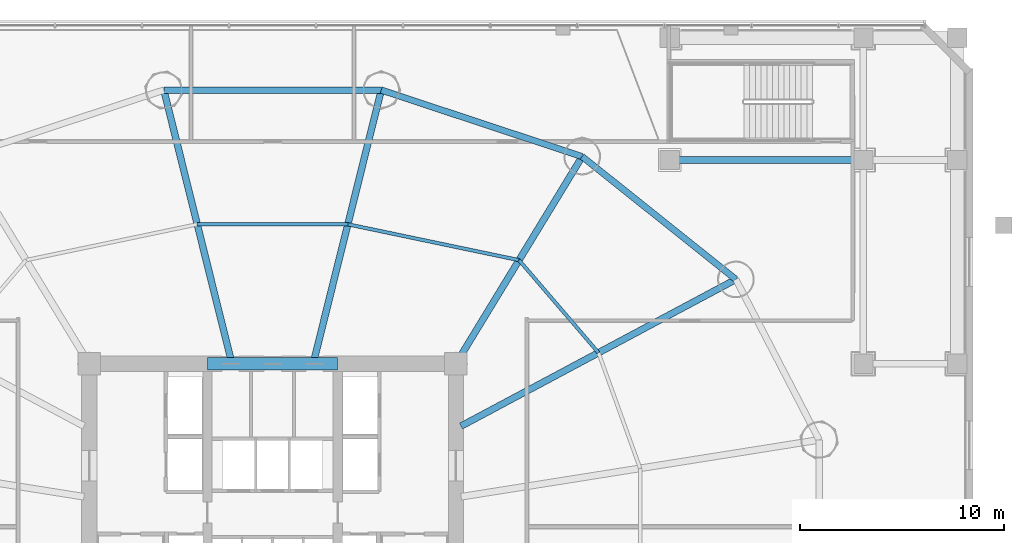
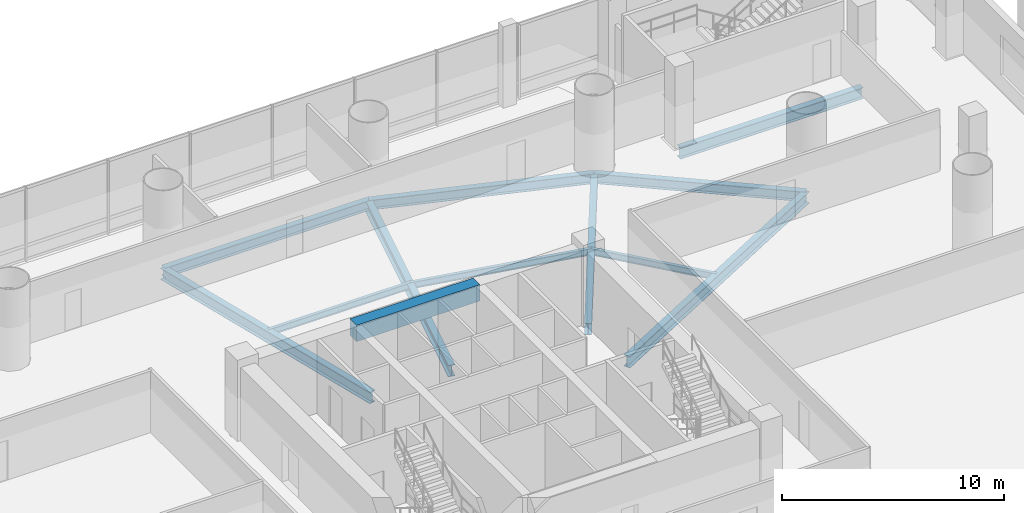
# One storey, part 13 of 36: 12 beams.
"""IFC4 building model written with IfcOpenShell, lengths in metres."""

import ifcopenshell
import ifcopenshell.guid

model = None  # the IFC model being written
_history = None  # IfcOwnerHistory: only IFC2X3 demands one
_inside = {}  # id of a spatial element -> (the spatial element, [elements in it])
_under = {}  # id of a project, library or spatial element -> (it, [spatial elements below it])
_declared = {}  # id of a project -> (the project, [libraries it declares])
_typed = {}  # id of a type object -> (the type object, [elements of that type])
_made_of = {}  # id of a material, layer set ... -> (it, [elements and type objects made of it])


def new_model(schema):
    """Start an empty IFC model of exactly this schema.

    Asked for "IFC4X3", IfcOpenShell would pick the latest addendum, in which some entities
    have other attributes; the version numbers below select the first issue.
    IFC2X3 requires an IfcOwnerHistory on every rooted entity: one is made here for all.
    """
    global model, _history
    if schema == "IFC4X3":
        model = ifcopenshell.file(schema_version=(4, 3, 0, 0))
    else:
        model = ifcopenshell.file(schema=schema)
    _inside.clear()
    _under.clear()
    _declared.clear()
    _typed.clear()
    _made_of.clear()
    _history = None
    if model.schema == "IFC2X3":
        org = make("IfcOrganization", Name="unknown")
        user = make(
            "IfcPersonAndOrganization",
            ThePerson=make("IfcPerson", FamilyName="unknown"),
            TheOrganization=org,
        )
        app = make(
            "IfcApplication",
            ApplicationDeveloper=org,
            Version="unknown",
            ApplicationFullName="unknown",
            ApplicationIdentifier="unknown",
        )
        _history = make(
            "IfcOwnerHistory",
            OwningUser=user,
            OwningApplication=app,
            ChangeAction="ADDED",
            CreationDate=0,
        )
    return model


def make(cls, **values):
    """One entity of the class cls with the attributes given. An attribute that is None is left unset."""
    return model.create_entity(
        cls, **{name: value for name, value in values.items() if value is not None}
    )


def rooted(cls, **values):
    """An entity with a GlobalId (a new one), such as an element, a storey or a relation."""
    return make(cls, GlobalId=ifcopenshell.guid.new(), OwnerHistory=_history, **values)


def si_unit(unit_type, name, prefix=None):
    """IfcSIUnit, for example si_unit("LENGTHUNIT", "METRE", prefix="MILLI")."""
    return make("IfcSIUnit", UnitType=unit_type, Prefix=prefix, Name=name)


def assignment(units):
    """IfcUnitAssignment: the units of a project."""
    return None if units is None else make("IfcUnitAssignment", Units=units)


def point(xyz):
    """IfcCartesianPoint."""
    return None if xyz is None else make("IfcCartesianPoint", Coordinates=xyz)


def direction(xyz):
    """IfcDirection."""
    return None if xyz is None else make("IfcDirection", DirectionRatios=xyz)


def frame(location, z_axis=None, x_axis=None):
    """IfcAxis2Placement3D, a coordinate frame: its origin and axes. An axis left out is left unset."""
    return make(
        "IfcAxis2Placement3D",
        Location=point(location),
        Axis=direction(z_axis),
        RefDirection=direction(x_axis),
    )


def frame_2d(location, x_axis=None):
    """IfcAxis2Placement2D, a coordinate frame in the plane: its origin and x axis."""
    return make(
        "IfcAxis2Placement2D", Location=point(location), RefDirection=direction(x_axis)
    )


def origin():
    """The frame at (0, 0, 0) with its axes left unset."""
    return frame((0.0, 0.0, 0.0))


def origin_2d():
    """The frame at (0, 0) in the plane with its x axis left unset."""
    return frame_2d((0.0, 0.0))


def place(relative_to, where):
    """IfcLocalPlacement: puts the frame where relative to a parent placement (None: the world)."""
    return make(
        "IfcLocalPlacement", PlacementRelTo=relative_to, RelativePlacement=where
    )


def context(
    kind, dimensions, precision=None, world=None, true_north=None, identifier=None
):
    """IfcGeometricRepresentationContext, for example the 3D "Model" context."""
    return make(
        "IfcGeometricRepresentationContext",
        ContextIdentifier=identifier,
        ContextType=kind,
        CoordinateSpaceDimension=dimensions,
        Precision=precision,
        WorldCoordinateSystem=world,
        TrueNorth=true_north,
    )


def subcontext(parent, identifier, kind, view, scale=None):
    """IfcGeometricRepresentationSubContext, for example "Body" below "Model"."""
    return make(
        "IfcGeometricRepresentationSubContext",
        ContextIdentifier=identifier,
        ContextType=kind,
        ParentContext=parent,
        TargetScale=scale,
        TargetView=view,
    )


def project(units=None, contexts=None):
    """IfcProject with its units and contexts."""
    return rooted(
        "IfcProject",
        Name="project",
        RepresentationContexts=contexts,
        UnitsInContext=assignment(units),
    )


def spatial(cls, under=None, at=None, **own):
    """A site, building, storey or space (cls), placed at a placement, below another one or the project."""
    s = rooted(cls, ObjectPlacement=at, **own)
    if under is not None:
        _under.setdefault(under.id(), (under, []))[1].append(s)
    return s


def profile(cls, at=None, kind="AREA", **sizes):
    """A parametric profile (cls). Its sizes go by their IFC names, for example OverallWidth=200.0."""
    return make(cls, ProfileType=kind, Position=at, **sizes)


def rectangle(**sizes):
    """IfcRectangleProfileDef."""
    return profile("IfcRectangleProfileDef", **sizes)


def i_section(**sizes):
    """IfcIShapeProfileDef."""
    return profile("IfcIShapeProfileDef", **sizes)


def extrude(swept, where, along, depth):
    """IfcExtrudedAreaSolid: the profile swept, set in the frame where, extruded along a direction by depth."""
    return make(
        "IfcExtrudedAreaSolid",
        SweptArea=swept,
        Position=where,
        ExtrudedDirection=direction(along),
        Depth=depth,
    )


def shape(context_of_items, identifier, shape_type, items):
    """IfcShapeRepresentation: the items that make up one representation, for example the "Body"."""
    return make(
        "IfcShapeRepresentation",
        ContextOfItems=context_of_items,
        RepresentationIdentifier=identifier,
        RepresentationType=shape_type,
        Items=items,
    )


def material(Name=None, Category=None):
    """IfcMaterial."""
    return make("IfcMaterial", Name=Name, Category=Category)


def material_profile(
    of_material, cross_section, Name=None, Category=None, Priority=None
):
    """IfcMaterialProfile: a cross section and its material."""
    return make(
        "IfcMaterialProfile",
        Name=Name,
        Material=of_material,
        Profile=cross_section,
        Priority=Priority,
        Category=Category,
    )


def profile_set(profiles, Name=None, composite=None):
    """IfcMaterialProfileSet."""
    return make(
        "IfcMaterialProfileSet",
        Name=Name,
        MaterialProfiles=profiles,
        CompositeProfile=composite,
    )


def made_of(thing, what):
    """Note that an element or type object is made of a material, layer set ...; save() writes the relation."""
    if what is not None:
        _made_of.setdefault(what.id(), (what, []))[1].append(thing)
    return thing


def type_object(cls, material=None, **own):
    """A type object (cls), such as IfcWallType, which elements share."""
    return made_of(rooted(cls, **own), material)


def element(
    cls,
    number,
    at=None,
    inside=None,
    cuts=None,
    type_object=None,
    material=None,
    context=None,
    identifier="Body",
    shape_type=None,
    held_by="IfcProductDefinitionShape",
    body=None,
    shapes=None,
    **own,
):
    """One element of the class cls, such as IfcWall. Its Tag is "e" and its number.

    at: its placement. inside: the storey or other place that contains it. cuts: it is an
    opening in that element (IfcRelVoidsElement). A single representation is given by context,
    identifier, shape_type and body (its items); several are given by shapes. held_by: the class
    of the entity that holds the representations. save() writes the other relations.
    """
    e = rooted(cls, Tag="e%d" % number, ObjectPlacement=at, **own)
    if body is not None:
        shapes = [shape(context, identifier, shape_type, body)]
    if shapes is not None:
        e.Representation = make(held_by, Representations=shapes)
    if inside is not None:
        _inside.setdefault(inside.id(), (inside, []))[1].append(e)
    if cuts is not None:
        rooted(
            "IfcRelVoidsElement", RelatingBuildingElement=cuts, RelatedOpeningElement=e
        )
    if type_object is not None:
        _typed.setdefault(type_object.id(), (type_object, []))[1].append(e)
    return made_of(e, material)


def aggregate(whole, parts):
    """IfcRelAggregates: a whole, such as a stair, and the parts it consists of."""
    return rooted("IfcRelAggregates", RelatingObject=whole, RelatedObjects=parts)


def save(model, path):
    """Write the relations noted so far, then the file.

    IfcRelAggregates (storeys below a building ...), IfcRelContainedInSpatialStructure (elements
    in a storey), IfcRelDefinesByType, IfcRelAssociatesMaterial and IfcRelDeclares: one each for
    every whole, place, type object, material and project.
    """
    for whole, parts in _under.values():
        aggregate(whole, parts)
    for where, things in _inside.values():
        rooted(
            "IfcRelContainedInSpatialStructure",
            RelatedElements=things,
            RelatingStructure=where,
        )
    for kind, things in _typed.values():
        rooted("IfcRelDefinesByType", RelatedObjects=things, RelatingType=kind)
    for what, things in _made_of.values():
        rooted("IfcRelAssociatesMaterial", RelatedObjects=things, RelatingMaterial=what)
    for by, libraries in _declared.values():
        rooted("IfcRelDeclares", RelatingContext=by, RelatedDefinitions=libraries)
    model.write(path)


model = new_model("IFC4")

# Units and contexts
model_context = context("Model", 3, precision=1e-05, world=origin(), true_north=direction((-0.2419218956, 0.970295726276)))
body_context = subcontext(model_context, "Body", "Model", "MODEL_VIEW")
ifc_project = project(units=[si_unit("LENGTHUNIT", "METRE"), si_unit("AREAUNIT", "SQUARE_METRE"), si_unit("VOLUMEUNIT", "CUBIC_METRE"), si_unit("PLANEANGLEUNIT", "RADIAN"), si_unit("MASSUNIT", "GRAM", prefix="KILO")], contexts=[model_context])

# Site, building, storey
site_placement = place(None, origin())
site = spatial("IfcSite", under=ifc_project, at=site_placement, CompositionType="ELEMENT")
building_placement = place(site_placement, origin())
building = spatial("IfcBuilding", under=site, at=building_placement, Name="Cobrevalo Terracotta Tower", CompositionType="ELEMENT")
storey_placement = place(building_placement, frame((0.0, 0.0, 14.39990234375)))
storey = spatial("IfcBuildingStorey", under=building, at=storey_placement, Name="L03", CompositionType="ELEMENT", Elevation=14.39990234375)

# Beams
ifc_material_1 = material(Name="Concrete C60", Category="concrete")
ifc_material_profile_1 = material_profile(ifc_material_1, rectangle(XDim=0.60009765625, YDim=0.89990234375, at=origin_2d()), Name="RC CB 600x900")
ifc_profile_set_1 = profile_set([ifc_material_profile_1], Name="Concrete C60")
beam_type_1 = type_object("IfcBeamType", Name="Structural Beam RC CB 600x900 (Concrete C60)", PredefinedType="BEAM", material=ifc_profile_set_1)
beam_1_placement = place(storey_placement, frame((34.800048828125, 34.800048828125, 3.60009765625), z_axis=(1.0, 0.0, 0.0), x_axis=(0.0, 1.0, 0.0)))
element("IfcBeam", 1, at=beam_1_placement, inside=storey, type_object=beam_type_1, Name="L03 core coupling beam 2", PredefinedType="BEAM", context=body_context, shape_type="SweptSolid", body=[
    extrude(rectangle(XDim=0.60009765625, YDim=0.89990234375, at=origin_2d()), origin(), (0.0, 0.0, 1.0), 6.39990234375),
])
ifc_material_2 = material(Name="Steel S355", Category="steel")
ifc_material_profile_2 = material_profile(ifc_material_2, i_section(OverallWidth=0.324951171875, OverallDepth=0.615966796875, WebThickness=0.013916015625, FlangeThickness=0.021484375, at=origin_2d()), Name="W 610x174")
ifc_profile_set_2 = profile_set([ifc_material_profile_2], Name="Steel S355")
beam_type_2 = type_object("IfcBeamType", Name="Structural Beam W 610x174 (Steel S355)", PredefinedType="BEAM", material=ifc_profile_set_2)
beam_2_placement = place(storey_placement, frame((57.5, 44.800048828125, -0.60791015625), z_axis=(1.0, 0.0, 0.0), x_axis=(0.0, 1.0, 0.0)))
element("IfcBeam", 2, at=beam_2_placement, inside=storey, type_object=beam_type_2, Name="L03 podium grid beam G7-GF to G8-GF", PredefinedType="BEAM", context=body_context, shape_type="SweptSolid", body=[
    extrude(i_section(OverallWidth=0.324951171875, OverallDepth=0.615966796875, WebThickness=0.013916015625, FlangeThickness=0.021484375, at=origin_2d()), origin(), (0.0, 0.0, 1.0), 9.5),
])
ifc_material_profile_3 = material_profile(ifc_material_2, i_section(OverallWidth=0.3291015625, OverallDepth=0.635009765625, WebThickness=0.017822265625, FlangeThickness=0.031005859375, at=origin_2d()), Name="W 610x241")
ifc_profile_set_3 = profile_set([ifc_material_profile_3], Name="Steel S355")
beam_type_3 = type_object("IfcBeamType", Name="Structural Beam W 610x241 (Steel S355)", PredefinedType="BEAM", material=ifc_profile_set_3)
beam_3_placement = place(storey_placement, frame((60.74072265625, 38.939208984375, -0.617431640625), z_axis=(-0.88218223571, -0.470908168329, 0.0), x_axis=(0.470908168329, -0.88218223571, 0.0)))
element("IfcBeam", 3, at=beam_3_placement, inside=storey, type_object=beam_type_3, Name="L03 radial floor girder 02", PredefinedType="BEAM", context=body_context, shape_type="SweptSolid", body=[
    extrude(i_section(OverallWidth=0.3291015625, OverallDepth=0.635009765625, WebThickness=0.017822265625, FlangeThickness=0.031005859375, at=origin_2d()), origin(), (0.0, 0.0, 1.0), 15.286865234375),
])
beam_4_placement = place(storey_placement, frame((53.19482421875, 44.967529296875, -0.617431640625), z_axis=(-0.520309892051, -0.853977526773, 0.0), x_axis=(0.853977526773, -0.520309892051, 0.0)))
element("IfcBeam", 4, at=beam_4_placement, inside=storey, type_object=beam_type_3, Name="L03 radial floor girder 03", PredefinedType="BEAM", context=body_context, shape_type="SweptSolid", body=[
    extrude(i_section(OverallWidth=0.3291015625, OverallDepth=0.635009765625, WebThickness=0.017822265625, FlangeThickness=0.031005859375, at=origin_2d()), origin(), (0.0, 0.0, 1.0), 11.906005859375),
])
for number, where, z_axis, x_axis, name in (
    (5, (43.335693359375, 48.230224609375, -0.617431640625), (-0.241596254786, -0.970376859614, 0.0), (0.970376859614, -0.241596254786, 0.0), "L03 radial floor girder 04"),
    (6, (32.664306640625, 48.230224609375, -0.617431640625), (0.241596254786, -0.970376859614, 0.0), (0.970376859614, 0.241596254786, 0.0), "L03 radial floor girder 05"),
):
    element("IfcBeam", number, at=place(storey_placement, frame(where, z_axis=z_axis, x_axis=x_axis)), inside=storey, type_object=beam_type_3, Name=name, PredefinedType="BEAM", context=body_context, shape_type="SweptSolid", body=[
        extrude(i_section(OverallWidth=0.3291015625, OverallDepth=0.635009765625, WebThickness=0.017822265625, FlangeThickness=0.031005859375, at=origin_2d()), origin(), (0.0, 0.0, 1.0), 13.577392578125),
    ])
ifc_material_profile_4 = material_profile(ifc_material_2, i_section(OverallWidth=0.1708984375, OverallDepth=0.35498046875, WebThickness=0.007080078125, FlangeThickness=0.01171875, at=origin_2d()), Name="W 360x51")
ifc_profile_set_4 = profile_set([ifc_material_profile_4], Name="Steel S355")
beam_type_4 = type_object("IfcBeamType", Name="Structural Joist W 360x51 (Steel S355)", PredefinedType="JOIST", material=ifc_profile_set_4)
beam_5_placement = place(storey_placement, frame((53.997802734375, 35.33984375, -0.477294921875), z_axis=(-0.651328404454, 0.758795960421, 0.0), x_axis=(-0.758795960421, -0.651328404454, 0.0)))
element("IfcBeam", 7, at=beam_5_placement, inside=storey, type_object=beam_type_4, Name="L03 circumferential secondary floor joist 02", PredefinedType="JOIST", context=body_context, shape_type="SweptSolid", body=[
    extrude(i_section(OverallWidth=0.1708984375, OverallDepth=0.35498046875, WebThickness=0.007080078125, FlangeThickness=0.01171875, at=origin_2d()), origin(), (0.0, 0.0, 1.0), 5.98828125),
])
beam_6_placement = place(storey_placement, frame((50.097412109375, 39.8837890625, -0.477294921875), z_axis=(-0.978784523904, 0.204892302848, 0.0), x_axis=(-0.204892302848, -0.978784523904, 0.0)))
element("IfcBeam", 8, at=beam_6_placement, inside=storey, type_object=beam_type_4, Name="L03 circumferential secondary floor joist 03", PredefinedType="JOIST", context=body_context, shape_type="SweptSolid", body=[
    extrude(i_section(OverallWidth=0.1708984375, OverallDepth=0.35498046875, WebThickness=0.007080078125, FlangeThickness=0.01171875, at=origin_2d()), origin(), (0.0, 0.0, 1.0), 8.583984375),
])
beam_7_placement = place(storey_placement, frame((41.695556640625, 41.642578125, -0.477294921875), z_axis=(-1.0, 0.0, 0.0), x_axis=(0.0, -1.0, 0.0)))
element("IfcBeam", 9, at=beam_7_placement, inside=storey, type_object=beam_type_4, Name="L03 circumferential secondary floor joist 04", PredefinedType="JOIST", context=body_context, shape_type="SweptSolid", body=[
    extrude(i_section(OverallWidth=0.1708984375, OverallDepth=0.35498046875, WebThickness=0.007080078125, FlangeThickness=0.01171875, at=origin_2d()), origin(), (0.0, 0.0, 1.0), 7.39111328125),
])
ifc_material_profile_5 = material_profile(ifc_material_2, i_section(OverallWidth=0.31201171875, OverallDepth=0.54296875, WebThickness=0.0126953125, FlangeThickness=0.020263671875, at=origin_2d()), Name="W 530x150")
ifc_profile_set_5 = profile_set([ifc_material_profile_5], Name="Steel S355")
beam_type_5 = type_object("IfcBeamType", Name="Structural Spandrel W 530x150 (Steel S355)", PredefinedType="SPANDREL", material=ifc_profile_set_5)
beam_8_placement = place(storey_placement, frame((60.74072265625, 38.939208984375, -0.5712890625), z_axis=(-0.781292806807, 0.62416468182, 0.0), x_axis=(-0.62416468182, -0.781292806807, 0.0)))
element("IfcBeam", 10, at=beam_8_placement, inside=storey, type_object=beam_type_5, Name="L03 perimeter ring spandrel 02", PredefinedType="SPANDREL", context=body_context, shape_type="SweptSolid", body=[
    extrude(i_section(OverallWidth=0.31201171875, OverallDepth=0.54296875, WebThickness=0.0126953125, FlangeThickness=0.020263671875, at=origin_2d()), origin(), (0.0, 0.0, 1.0), 9.658203125),
])
beam_9_placement = place(storey_placement, frame((53.19482421875, 44.967529296875, -0.5712890625), z_axis=(-0.949365190876, 0.314174687638, 0.0), x_axis=(-0.314174687638, -0.949365190876, 0.0)))
element("IfcBeam", 11, at=beam_9_placement, inside=storey, type_object=beam_type_5, Name="L03 perimeter ring spandrel 03", PredefinedType="SPANDREL", context=body_context, shape_type="SweptSolid", body=[
    extrude(i_section(OverallWidth=0.31201171875, OverallDepth=0.54296875, WebThickness=0.0126953125, FlangeThickness=0.020263671875, at=origin_2d()), origin(), (0.0, 0.0, 1.0), 10.385009765625),
])
beam_10_placement = place(storey_placement, frame((43.335693359375, 48.230224609375, -0.5712890625), z_axis=(-1.0, 0.0, 0.0), x_axis=(0.0, -1.0, 0.0)))
element("IfcBeam", 12, at=beam_10_placement, inside=storey, type_object=beam_type_5, Name="L03 perimeter ring spandrel 04", PredefinedType="SPANDREL", context=body_context, shape_type="SweptSolid", body=[
    extrude(i_section(OverallWidth=0.31201171875, OverallDepth=0.54296875, WebThickness=0.0126953125, FlangeThickness=0.020263671875, at=origin_2d()), origin(), (0.0, 0.0, 1.0), 10.67138671875),
])

save(model, "model.ifc")
